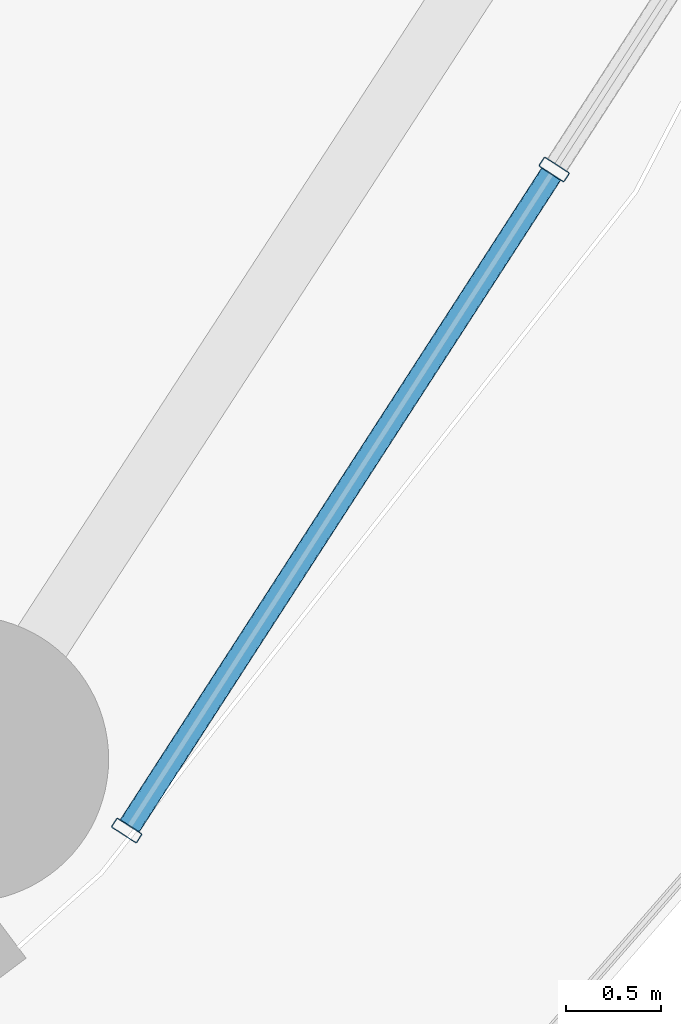
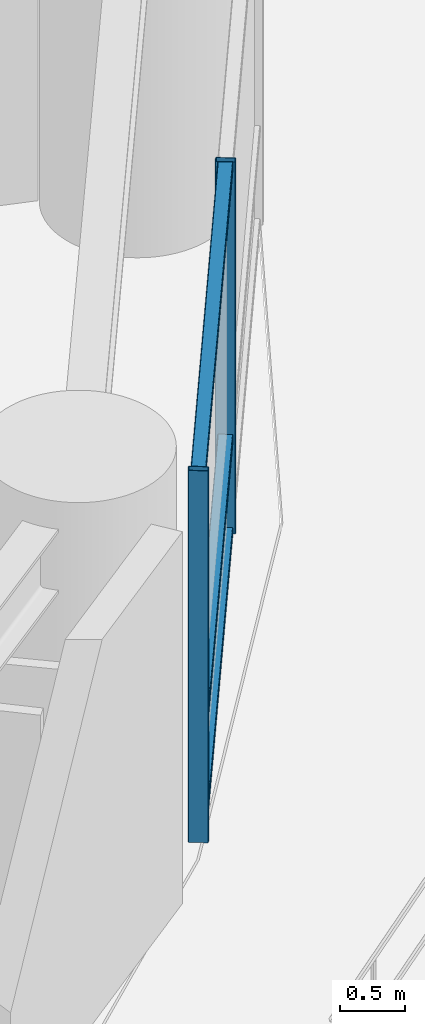
# One storey, part 10 of 33: 5 members, 1 element without a shape of its own.
"""IFC4 building model written with IfcOpenShell, lengths in metres."""

from ifc_helpers import new_model, si_unit, direction, frame, origin, origin_2d, place, context, subcontext, project, spatial, hollow_rectangle, extrude, material, layer, layer_set, material_profile, profile_set, type_object, element, aggregate, save


model = new_model("IFC4")

# Units and contexts
model_context = context("Model", 3, precision=1e-05, world=origin(), true_north=direction((0.0, 1.0)))
body_context = subcontext(model_context, "Body", "Model", "MODEL_VIEW")
ifc_project = project(units=[si_unit("LENGTHUNIT", "METRE"), si_unit("AREAUNIT", "SQUARE_METRE"), si_unit("VOLUMEUNIT", "CUBIC_METRE"), si_unit("PLANEANGLEUNIT", "RADIAN"), si_unit("MASSUNIT", "GRAM", prefix="KILO")], contexts=[model_context])

# Site, building, storey
site_placement = place(None, origin())
site = spatial("IfcSite", under=ifc_project, at=site_placement, CompositionType="ELEMENT")
building_placement = place(site_placement, origin())
building = spatial("IfcBuilding", under=site, at=building_placement, Name="Kelanora Arch Commons", CompositionType="ELEMENT")
storey_placement = place(building_placement, frame((0.0, 0.0, 45.0)))
storey = spatial("IfcBuildingStorey", under=building, at=storey_placement, Name="L11", CompositionType="ELEMENT", Elevation=45.0)

# Curtain wall, members
ifc_material_1 = material(Name="Terracotta ceramic-fritted low-E glass and aluminium", Category="masonry")
ifc_layer = layer(ifc_material_1, 0.159912109375)
ifc_layer_set = layer_set([ifc_layer], Name="Terracotta ceramic-fritted low-E glass and aluminium")
curtain_wall_type = type_object("IfcCurtainWallType", Name="CW-SYS-01", PredefinedType="NOTDEFINED", material=ifc_layer_set)
curtain_wall_placement = place(storey_placement, origin())
curtain_wall = element("IfcCurtainWall", 1, at=curtain_wall_placement, inside=storey, type_object=curtain_wall_type, Name="Unitised Curtain Wall L11-B16", PredefinedType="NOTDEFINED")
ifc_material_2 = material(Name="Powder-coated aluminium terracotta", Category="masonry")
ifc_material_profile_1 = material_profile(ifc_material_2, hollow_rectangle(XDim=0.159912109375, YDim=0.06005859375, WallThickness=0.0048828125, InnerFilletRadius=0.0048828125, OuterFilletRadius=0.010009765625, at=origin_2d()), Name="CWM160x60")
ifc_profile_set_1 = profile_set([ifc_material_profile_1], Name="Powder-coated aluminium terracotta")
member_type_1 = type_object("IfcMemberType", Name="CWM-STD", PredefinedType="MULLION", material=ifc_profile_set_1)
member_1_placement = place(storey_placement, frame((95.58935546875, 42.14697265625, 0.0), z_axis=(0.0, 0.0, 1.0), x_axis=(-0.83972982332, 0.543004441812, 0.0)))
member_1 = element("IfcMember", 2, at=member_1_placement, type_object=member_type_1, Name="CW-01 mullion 1", PredefinedType="MULLION", context=body_context, shape_type="SweptSolid", body=[
    extrude(hollow_rectangle(XDim=0.159912109375, YDim=0.06005859375, WallThickness=0.0048828125, InnerFilletRadius=0.0048828125, OuterFilletRadius=0.010009765625, at=origin_2d()), origin(), (0.0, 0.0, 1.0), 3.47509765625),
])
member_2_placement = place(storey_placement, frame((97.830810546875, 45.61328125, 0.0), z_axis=(0.0, 0.0, 1.0), x_axis=(-0.83972982332, 0.543004441812, 0.0)))
member_2 = element("IfcMember", 3, at=member_2_placement, type_object=member_type_1, Name="CW-01 mullion 2", PredefinedType="MULLION", context=body_context, shape_type="SweptSolid", body=[
    extrude(hollow_rectangle(XDim=0.159912109375, YDim=0.06005859375, WallThickness=0.0048828125, InnerFilletRadius=0.0048828125, OuterFilletRadius=0.010009765625, at=origin_2d()), origin(), (0.0, 0.0, 1.0), 3.47509765625),
])
ifc_material_profile_2 = material_profile(ifc_material_2, hollow_rectangle(XDim=0.1201171875, YDim=0.06005859375, WallThickness=0.0048828125, InnerFilletRadius=0.0048828125, OuterFilletRadius=0.010009765625, at=origin_2d()), Name="CWT120x60")
ifc_profile_set_2 = profile_set([ifc_material_profile_2], Name="Powder-coated aluminium terracotta")
member_type_2 = type_object("IfcMemberType", Name="CWT-STD", PredefinedType="USERDEFINED", material=ifc_profile_set_2)
member_3_placement = place(storey_placement, frame((95.605712890625, 42.17236328125, 0.030029296875), z_axis=(0.542997414293, 0.839734367566, 0.0), x_axis=(-0.839734367566, 0.542997414293, 0.0)))
member_3 = element("IfcMember", 4, at=member_3_placement, type_object=member_type_2, Name="CW-01 transom 1.1", ObjectType="TRANSOM", PredefinedType="USERDEFINED", context=body_context, shape_type="SweptSolid", body=[
    extrude(hollow_rectangle(XDim=0.1201171875, YDim=0.06005859375, WallThickness=0.0048828125, InnerFilletRadius=0.0048828125, OuterFilletRadius=0.010009765625, at=origin_2d()), origin(), (0.0, 0.0, 1.0), 4.067626953125),
])
member_4_placement = place(storey_placement, frame((95.605712890625, 42.17236328125, 0.89990234375), z_axis=(0.542997414293, 0.839734367566, 0.0), x_axis=(-0.839734367566, 0.542997414293, 0.0)))
member_4 = element("IfcMember", 5, at=member_4_placement, type_object=member_type_2, Name="CW-01 transom 1.2", ObjectType="TRANSOM", PredefinedType="USERDEFINED", context=body_context, shape_type="SweptSolid", body=[
    extrude(hollow_rectangle(XDim=0.1201171875, YDim=0.06005859375, WallThickness=0.0048828125, InnerFilletRadius=0.0048828125, OuterFilletRadius=0.010009765625, at=origin_2d()), origin(), (0.0, 0.0, 1.0), 4.067626953125),
])
member_5_placement = place(storey_placement, frame((95.605712890625, 42.17236328125, 3.445068359375), z_axis=(0.542997414293, 0.839734367566, 0.0), x_axis=(-0.839734367566, 0.542997414293, 0.0)))
member_5 = element("IfcMember", 6, at=member_5_placement, type_object=member_type_2, Name="CW-01 transom 1.3", ObjectType="TRANSOM", PredefinedType="USERDEFINED", context=body_context, shape_type="SweptSolid", body=[
    extrude(hollow_rectangle(XDim=0.1201171875, YDim=0.06005859375, WallThickness=0.0048828125, InnerFilletRadius=0.0048828125, OuterFilletRadius=0.010009765625, at=origin_2d()), origin(), (0.0, 0.0, 1.0), 4.067626953125),
])
aggregate(curtain_wall, [member_1, member_2, member_3, member_4, member_5])

save(model, "model.ifc")
